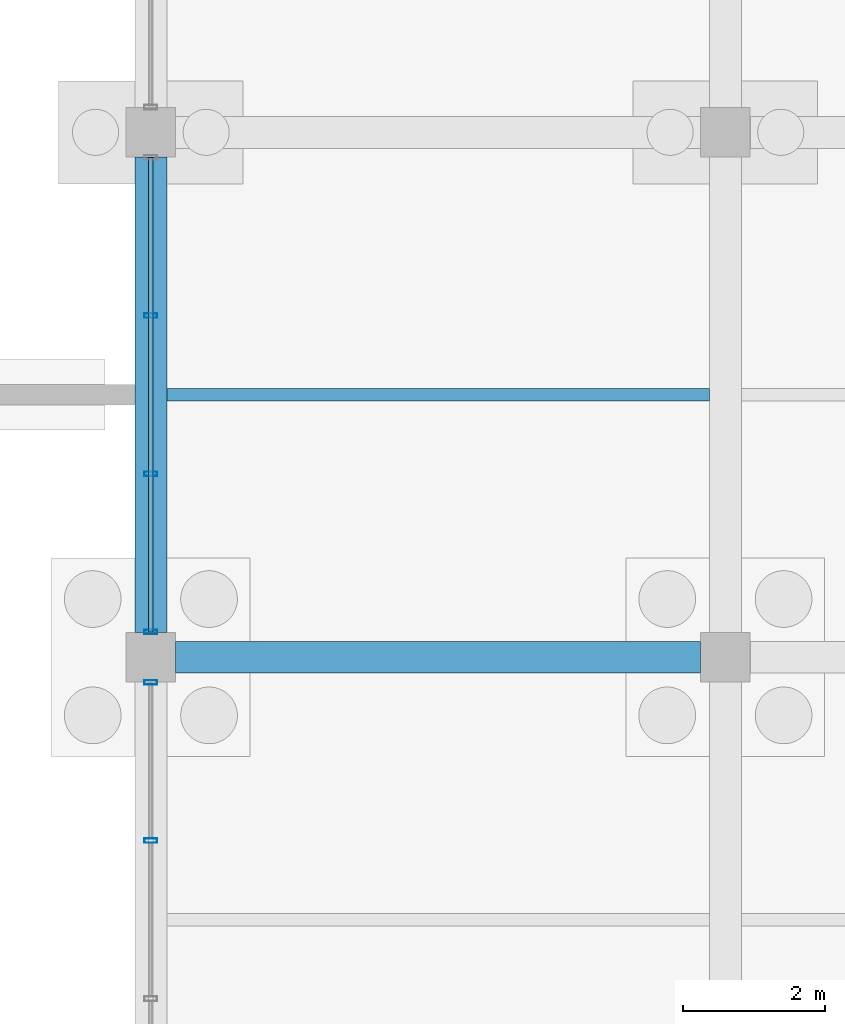
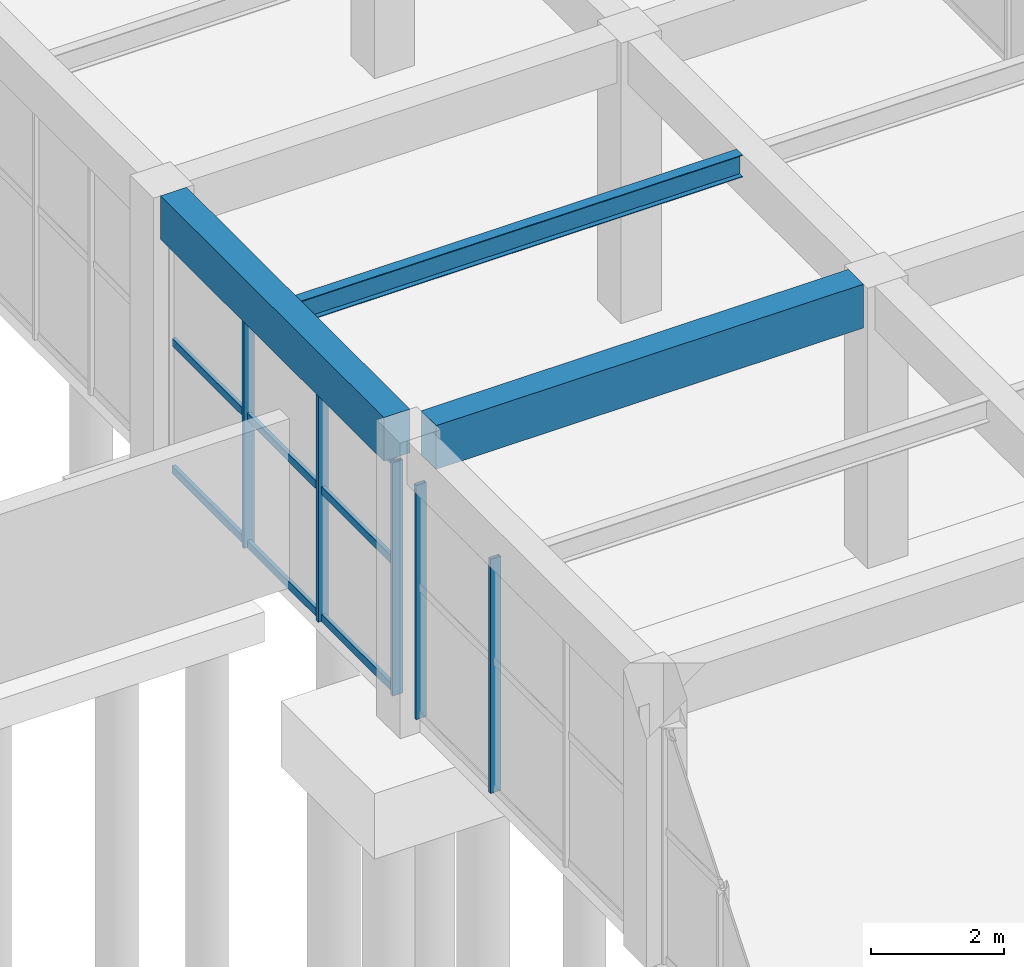
# One storey, part 78 of 140: 8 members, 3 beams, 2 elements without a shape of their own.
"""IFC4 building model written with IfcOpenShell, lengths in metres."""

from ifc_helpers import new_model, si_unit, direction, frame, origin, origin_2d, place, context, subcontext, project, spatial, rectangle, hollow_rectangle, i_section, extrude, material, material_profile, profile_set, type_object, element, aggregate, save


model = new_model("IFC4")

# Units and contexts
model_context = context("Model", 3, precision=1e-05, world=origin(), true_north=direction((0.0, 1.0)))
body_context = subcontext(model_context, "Body", "Model", "MODEL_VIEW")
ifc_project = project(units=[si_unit("LENGTHUNIT", "METRE"), si_unit("AREAUNIT", "SQUARE_METRE"), si_unit("VOLUMEUNIT", "CUBIC_METRE"), si_unit("PLANEANGLEUNIT", "RADIAN"), si_unit("MASSUNIT", "GRAM", prefix="KILO")], contexts=[model_context])

# Site, building, storey
site_placement = place(None, origin())
site = spatial("IfcSite", under=ifc_project, at=site_placement, CompositionType="ELEMENT")
building_placement = place(site_placement, origin())
building = spatial("IfcBuilding", under=site, at=building_placement, Name="Cimatlan Art Gallery", CompositionType="ELEMENT")
storey_placement = place(building_placement, origin())
storey = spatial("IfcBuildingStorey", under=building, at=storey_placement, Name="L00", CompositionType="ELEMENT", Elevation=0.0)

# Beams
ifc_material_1 = material(Name="Concrete C40/50", Category="concrete")
ifc_material_profile_1 = material_profile(ifc_material_1, rectangle(XDim=0.449951171875, YDim=0.800048828125, at=origin_2d()), Name="RC450X800")
ifc_profile_set_1 = profile_set([ifc_material_profile_1], Name="Concrete C40/50")
beam_type_1 = type_object("IfcBeamType", Name="BM-RC-450X800", PredefinedType="BEAM", material=ifc_profile_set_1)
beam_1_placement = place(storey_placement, frame((115.39990234375, 68.64990234375, 4.735107421875), z_axis=(0.0, 1.0, 0.0), x_axis=(-1.0, 0.0, 0.0)))
element("IfcBeam", 1, at=beam_1_placement, inside=storey, type_object=beam_type_1, Name="BM-Y-L00-14-09", PredefinedType="BEAM", context=body_context, shape_type="SweptSolid", body=[
    extrude(rectangle(XDim=0.449951171875, YDim=0.800048828125, at=origin_2d()), origin(), (0.0, 0.0, 1.0), 6.7001953125),
])
beam_2_placement = place(storey_placement, frame((115.75, 68.300048828125, 4.735107421875), z_axis=(1.0, 0.0, 0.0), x_axis=(0.0, 1.0, 0.0)))
element("IfcBeam", 2, at=beam_2_placement, inside=storey, type_object=beam_type_1, Name="BM-X-L00-14-09", PredefinedType="BEAM", context=body_context, shape_type="SweptSolid", body=[
    extrude(rectangle(XDim=0.449951171875, YDim=0.800048828125, at=origin_2d()), origin(), (0.0, 0.0, 1.0), 7.39990234375),
])
ifc_material_2 = material(Name="Steel ASTM A992 Grade 50", Category="steel")
ifc_material_profile_2 = material_profile(ifc_material_2, i_section(OverallWidth=0.177978515625, OverallDepth=0.406982421875, WebThickness=0.0078125, FlangeThickness=0.0126953125, at=origin_2d()), Name="W16X40")
ifc_profile_set_2 = profile_set([ifc_material_profile_2], Name="Steel ASTM A992 Grade 50")
beam_type_2 = type_object("IfcBeamType", Name="BM-STL-W16X40", PredefinedType="JOIST", material=ifc_profile_set_2)
beam_3_placement = place(storey_placement, frame((115.625, 72.0, 4.931396484375), z_axis=(1.0, 0.0, 0.0), x_axis=(0.0, 1.0, 0.0)))
element("IfcBeam", 3, at=beam_3_placement, inside=storey, type_object=beam_type_2, Name="JST-L00-14-09", PredefinedType="JOIST", context=body_context, shape_type="SweptSolid", body=[
    extrude(i_section(OverallWidth=0.177978515625, OverallDepth=0.406982421875, WebThickness=0.0078125, FlangeThickness=0.0126953125, at=origin_2d()), origin(), (0.0, 0.0, 1.0), 7.64990234375),
])

# Curtain wall, members
ifc_material_3 = material(Name="Anodised bronze unitised curtain wall")
curtain_wall_type_1 = type_object("IfcCurtainWallType", Name="CW-V-06692X04290-B3", PredefinedType="NOTDEFINED", material=ifc_material_3)
curtain_wall_1_placement = place(storey_placement, origin())
curtain_wall_1 = element("IfcCurtainWall", 4, at=curtain_wall_1_placement, inside=storey, type_object=curtain_wall_type_1, Name="CW-L00-14-08-W", PredefinedType="NOTDEFINED")
ifc_material_4 = material(Name="Anodised bronze aluminium 6063-T6", Category="aluminium")
ifc_material_profile_3 = material_profile(ifc_material_4, hollow_rectangle(XDim=0.06494140625, YDim=0.179931640625, WallThickness=0.00390625, at=origin_2d()), Name="ALU65X180X4")
ifc_profile_set_3 = profile_set([ifc_material_profile_3], Name="Anodised bronze aluminium 6063-T6")
member_type_1 = type_object("IfcMemberType", Name="CW-MUL-180", PredefinedType="MULLION", material=ifc_profile_set_3)
member_1_placement = place(storey_placement, frame((115.39990234375, 65.71533203125, 0.0), z_axis=(0.0, 0.0, 1.0), x_axis=(0.0, 1.0, 0.0)))
member_1 = element("IfcMember", 5, at=member_1_placement, type_object=member_type_1, Name="CW-L00-14-08-W-M3", PredefinedType="MULLION", context=body_context, shape_type="SweptSolid", body=[
    extrude(hollow_rectangle(XDim=0.06494140625, YDim=0.179931640625, WallThickness=0.00390625, at=origin_2d()), origin(), (0.0, 0.0, 1.0), 4.2900390625),
])
member_2_placement = place(storey_placement, frame((115.39990234375, 67.946044921875, 0.0), z_axis=(0.0, 0.0, 1.0), x_axis=(0.0, 1.0, 0.0)))
member_2 = element("IfcMember", 6, at=member_2_placement, type_object=member_type_1, Name="CW-L00-14-08-W-M4", PredefinedType="MULLION", context=body_context, shape_type="SweptSolid", body=[
    extrude(hollow_rectangle(XDim=0.06494140625, YDim=0.179931640625, WallThickness=0.00390625, at=origin_2d()), origin(), (0.0, 0.0, 1.0), 4.2900390625),
])
aggregate(curtain_wall_1, [member_1, member_2])

curtain_wall_type_2 = type_object("IfcCurtainWallType", Name="CW-V-06692X04275-B3", PredefinedType="NOTDEFINED", material=ifc_material_3)
curtain_wall_2_placement = place(storey_placement, origin())
curtain_wall_2 = element("IfcCurtainWall", 7, at=curtain_wall_2_placement, inside=storey, type_object=curtain_wall_type_2, Name="CW-L00-14-09-W", PredefinedType="NOTDEFINED")
member_3_placement = place(storey_placement, frame((115.39990234375, 68.654052734375, 0.0), z_axis=(0.0, 0.0, 1.0), x_axis=(0.0, 1.0, 0.0)))
member_3 = element("IfcMember", 8, at=member_3_placement, type_object=member_type_1, Name="CW-L00-14-09-W-M1", PredefinedType="MULLION", context=body_context, shape_type="SweptSolid", body=[
    extrude(hollow_rectangle(XDim=0.06494140625, YDim=0.179931640625, WallThickness=0.00390625, at=origin_2d()), origin(), (0.0, 0.0, 1.0), 4.27490234375),
])
member_4_placement = place(storey_placement, frame((115.39990234375, 70.884765625, 0.0), z_axis=(0.0, 0.0, 1.0), x_axis=(0.0, 1.0, 0.0)))
member_4 = element("IfcMember", 9, at=member_4_placement, type_object=member_type_1, Name="CW-L00-14-09-W-M2", PredefinedType="MULLION", context=body_context, shape_type="SweptSolid", body=[
    extrude(hollow_rectangle(XDim=0.06494140625, YDim=0.179931640625, WallThickness=0.00390625, at=origin_2d()), origin(), (0.0, 0.0, 1.0), 4.27490234375),
])
member_5_placement = place(storey_placement, frame((115.39990234375, 73.115234375, 0.0), z_axis=(0.0, 0.0, 1.0), x_axis=(0.0, 1.0, 0.0)))
member_5 = element("IfcMember", 10, at=member_5_placement, type_object=member_type_1, Name="CW-L00-14-09-W-M3", PredefinedType="MULLION", context=body_context, shape_type="SweptSolid", body=[
    extrude(hollow_rectangle(XDim=0.06494140625, YDim=0.179931640625, WallThickness=0.00390625, at=origin_2d()), origin(), (0.0, 0.0, 1.0), 4.27490234375),
])
ifc_material_profile_4 = material_profile(ifc_material_4, hollow_rectangle(XDim=0.06494140625, YDim=0.139892578125, WallThickness=0.00390625, at=origin_2d()), Name="ALU65X140X4")
ifc_profile_set_4 = profile_set([ifc_material_profile_4], Name="Anodised bronze aluminium 6063-T6")
member_type_2 = type_object("IfcMemberType", Name="CW-TRN-140", PredefinedType="USERDEFINED", material=ifc_profile_set_4)
member_6_placement = place(storey_placement, frame((115.39990234375, 68.654052734375, 0.06005859375), z_axis=(0.0, 1.0, 0.0), x_axis=(-1.0, 0.0, 0.0)))
member_6 = element("IfcMember", 11, at=member_6_placement, type_object=member_type_2, Name="CW-L00-14-09-W-T1", ObjectType="TRANSOM", PredefinedType="USERDEFINED", context=body_context, shape_type="SweptSolid", body=[
    extrude(hollow_rectangle(XDim=0.06494140625, YDim=0.139892578125, WallThickness=0.00390625, at=origin_2d()), origin(), (0.0, 0.0, 1.0), 6.69189453125),
])
member_7_placement = place(storey_placement, frame((115.39990234375, 68.654052734375, 2.39404296875), z_axis=(0.0, 1.0, 0.0), x_axis=(-1.0, 0.0, 0.0)))
member_7 = element("IfcMember", 12, at=member_7_placement, type_object=member_type_2, Name="CW-L00-14-09-W-T2", ObjectType="TRANSOM", PredefinedType="USERDEFINED", context=body_context, shape_type="SweptSolid", body=[
    extrude(hollow_rectangle(XDim=0.06494140625, YDim=0.139892578125, WallThickness=0.00390625, at=origin_2d()), origin(), (0.0, 0.0, 1.0), 6.69189453125),
])
member_8_placement = place(storey_placement, frame((115.39990234375, 68.654052734375, 4.215087890625), z_axis=(0.0, 1.0, 0.0), x_axis=(-1.0, 0.0, 0.0)))
member_8 = element("IfcMember", 13, at=member_8_placement, type_object=member_type_2, Name="CW-L00-14-09-W-T3", ObjectType="TRANSOM", PredefinedType="USERDEFINED", context=body_context, shape_type="SweptSolid", body=[
    extrude(hollow_rectangle(XDim=0.06494140625, YDim=0.139892578125, WallThickness=0.00390625, at=origin_2d()), origin(), (0.0, 0.0, 1.0), 6.69189453125),
])
aggregate(curtain_wall_2, [member_3, member_4, member_5, member_6, member_7, member_8])

save(model, "model.ifc")
